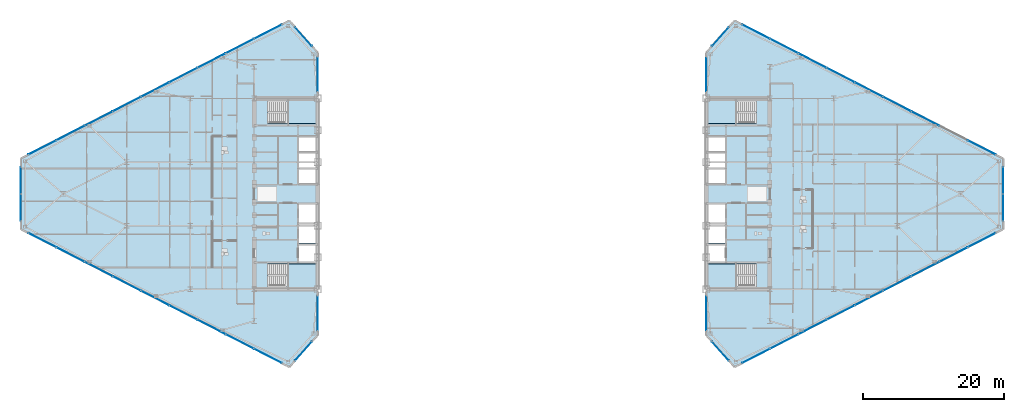
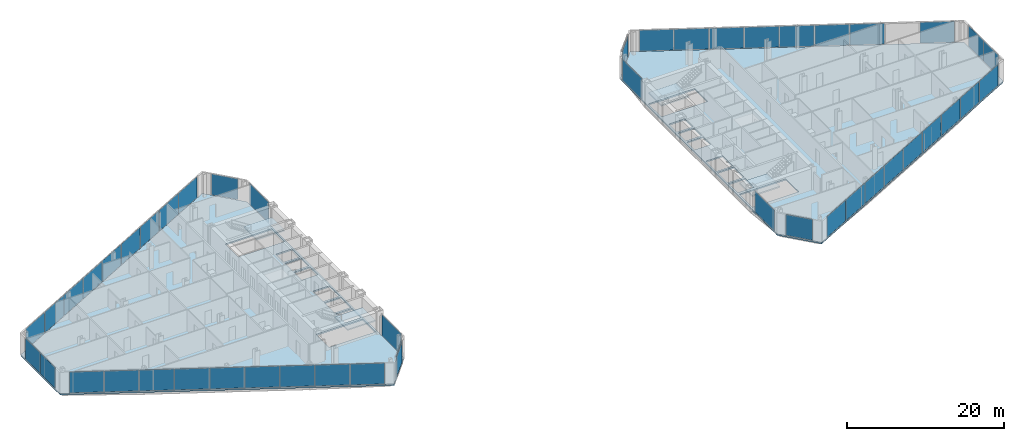
# One storey, part 14 of 24: 47 plates, 6 slabs, 18 elements without a shape of their own.
"""IFC4 building model written with IfcOpenShell, lengths in metres."""

from ifc_helpers import new_model, si_unit, direction, frame, origin, origin_2d, place, context, subcontext, project, spatial, polyline, rectangle, outline, extrude, source, transform, mapped, material, layer, layer_set, type_object, type_shapes, element, aggregate, save


model = new_model("IFC4")

# Units and contexts
model_context = context("Model", 3, precision=1e-05, world=origin(), true_north=direction((0.0, 1.0)))
body_context = subcontext(model_context, "Body", "Model", "MODEL_VIEW")
ifc_project = project(units=[si_unit("LENGTHUNIT", "METRE"), si_unit("AREAUNIT", "SQUARE_METRE"), si_unit("VOLUMEUNIT", "CUBIC_METRE"), si_unit("PLANEANGLEUNIT", "RADIAN"), si_unit("MASSUNIT", "GRAM", prefix="KILO")], contexts=[model_context])

# Site, building, storey
site_placement = place(None, origin())
site = spatial("IfcSite", under=ifc_project, at=site_placement, CompositionType="ELEMENT")
building_placement = place(site_placement, origin())
building = spatial("IfcBuilding", under=site, at=building_placement, Name="Seokmaru Belvedere", CompositionType="ELEMENT")
storey_placement = place(building_placement, frame((0.0, 0.0, 121.199951171875)))
storey = spatial("IfcBuildingStorey", under=building, at=storey_placement, Name="L32", CompositionType="ELEMENT", Elevation=121.199951171875)

# Stair, slab
ifc_material_1 = material(Name="Concrete C40 (40 MPa)", Category="concrete")
stair_type = type_object("IfcStairType", Name="Typical Tower Core Dog-Leg Stair 3600", PredefinedType="TWO_STRAIGHT_RUN_STAIR", material=ifc_material_1)
stair_1_placement = place(storey_placement, origin())
stair_1 = element("IfcStair", 1, at=stair_1_placement, inside=storey, type_object=stair_type, Name="L32 Special Escape Stair ST-W1", PredefinedType="TWO_STRAIGHT_RUN_STAIR")
ifc_layer_1 = layer(ifc_material_1, 0.199951171875)
ifc_layer_set_1 = layer_set([ifc_layer_1], Name="Concrete C40 (40 MPa)")
slab_type_1 = type_object("IfcSlabType", Name="Reinforced Concrete Stair Landing Slab 200", PredefinedType="LANDING", material=ifc_layer_set_1)
slab_1_placement = place(storey_placement, frame((0.0, 0.0, 1.60009765625)))
slab_1 = element("IfcSlab", 2, at=slab_1_placement, type_object=slab_type_1, Name="ST-W1 landing 1", PredefinedType="LANDING", context=body_context, shape_type="SweptSolid", body=[
    extrude(outline(polyline([(-31.8798828125, -13.239990234375), (-27.760009765625, -13.239990234375), (-27.760009765625, -9.949951171875), (-31.8798828125, -9.949951171875), (-31.8798828125, -13.239990234375)])), origin(), (0.0, 0.0, 1.0), 0.199951171875),
])
aggregate(stair_1, [slab_1])

stair_2_placement = place(storey_placement, origin())
stair_2 = element("IfcStair", 3, at=stair_2_placement, inside=storey, type_object=stair_type, Name="L32 Special Escape Stair ST-W2", PredefinedType="TWO_STRAIGHT_RUN_STAIR")
slab_2_placement = place(storey_placement, frame((0.0, 0.0, 1.60009765625)))
slab_2 = element("IfcSlab", 4, at=slab_2_placement, type_object=slab_type_1, Name="ST-W2 landing 1", PredefinedType="LANDING", context=body_context, shape_type="SweptSolid", body=[
    extrude(outline(polyline([(-31.8798828125, 9.949951171875), (-27.760009765625, 9.949951171875), (-27.760009765625, 13.239990234375), (-31.8798828125, 13.239990234375), (-31.8798828125, 9.949951171875)])), origin(), (0.0, 0.0, 1.0), 0.199951171875),
])
aggregate(stair_2, [slab_2])

stair_3_placement = place(storey_placement, origin())
stair_3 = element("IfcStair", 5, at=stair_3_placement, inside=storey, type_object=stair_type, Name="L32 Special Escape Stair ST-E1", PredefinedType="TWO_STRAIGHT_RUN_STAIR")
slab_3_placement = place(storey_placement, frame((0.0, 0.0, 1.60009765625)))
slab_3 = element("IfcSlab", 6, at=slab_3_placement, type_object=slab_type_1, Name="ST-E1 landing 1", PredefinedType="LANDING", context=body_context, shape_type="SweptSolid", body=[
    extrude(outline(polyline([(27.760009765625, -13.239990234375), (31.8798828125, -13.239990234375), (31.8798828125, -9.949951171875), (27.760009765625, -9.949951171875), (27.760009765625, -13.239990234375)])), origin(), (0.0, 0.0, 1.0), 0.199951171875),
])
aggregate(stair_3, [slab_3])

stair_4_placement = place(storey_placement, origin())
stair_4 = element("IfcStair", 7, at=stair_4_placement, inside=storey, type_object=stair_type, Name="L32 Special Escape Stair ST-E2", PredefinedType="TWO_STRAIGHT_RUN_STAIR")
slab_4_placement = place(storey_placement, frame((0.0, 0.0, 1.60009765625)))
slab_4 = element("IfcSlab", 8, at=slab_4_placement, type_object=slab_type_1, Name="ST-E2 landing 1", PredefinedType="LANDING", context=body_context, shape_type="SweptSolid", body=[
    extrude(outline(polyline([(27.760009765625, 9.949951171875), (31.8798828125, 9.949951171875), (31.8798828125, 13.239990234375), (27.760009765625, 13.239990234375), (27.760009765625, 9.949951171875)])), origin(), (0.0, 0.0, 1.0), 0.199951171875),
])
aggregate(stair_4, [slab_4])

# Slabs
ifc_layer_2 = layer(ifc_material_1, 0.219970703125)
ifc_layer_set_2 = layer_set([ifc_layer_2], Name="Concrete C40 (40 MPa)")
slab_type_2 = type_object("IfcSlabType", Name="Typical Tower Composite Floor Slab 220", PredefinedType="FLOOR", material=ifc_layer_set_2)
slab_5_placement = place(storey_placement, frame((0.0, 0.0, -0.219970703125)))
element("IfcSlab", 9, at=slab_5_placement, inside=storey, type_object=slab_type_2, Name="L32 West Leg Floor Slab", PredefinedType="FLOOR", context=body_context, shape_type="SweptSolid", body=[
    extrude(outline(polyline([(-27.5, -20.0), (-27.5, 20.0), (-31.5, 24.5), (-69.5, 5.0), (-69.5, -5.0), (-31.5, -24.5), (-27.5, -20.0)]), holes=[polyline([(-34.60009765625, -13.25), (-27.75, -13.25), (-27.75, -9.949951171875), (-34.60009765625, -9.949951171875), (-34.60009765625, -13.25)]), polyline([(-34.60009765625, 9.949951171875), (-27.75, 9.949951171875), (-27.75, 13.25), (-34.60009765625, 13.25), (-34.60009765625, 9.949951171875)]), polyline([(-30.14990234375, -9.550048828125), (-27.75, -9.550048828125), (-27.75, -7.25), (-30.14990234375, -7.25), (-30.14990234375, -9.550048828125)]), polyline([(-30.14990234375, -6.949951171875), (-27.75, -6.949951171875), (-27.75, -4.35009765625), (-30.14990234375, -4.35009765625), (-30.14990234375, -6.949951171875)]), polyline([(-30.14990234375, -4.050048828125), (-27.75, -4.050048828125), (-27.75, -1.449951171875), (-30.14990234375, -1.449951171875), (-30.14990234375, -4.050048828125)]), polyline([(-30.14990234375, 1.449951171875), (-27.75, 1.449951171875), (-27.75, 3.449951171875), (-30.14990234375, 3.449951171875), (-30.14990234375, 1.449951171875)]), polyline([(-30.14990234375, 3.75), (-27.75, 3.75), (-27.75, 5.75), (-30.14990234375, 5.75), (-30.14990234375, 3.75)]), polyline([(-30.14990234375, 6.050048828125), (-27.75, 6.050048828125), (-27.75, 8.050048828125), (-30.14990234375, 8.050048828125), (-30.14990234375, 6.050048828125)])]), origin(), (0.0, 0.0, 1.0), 0.219970703125),
])
slab_6_placement = place(storey_placement, frame((0.0, 0.0, -0.219970703125)))
element("IfcSlab", 10, at=slab_6_placement, inside=storey, type_object=slab_type_2, Name="L32 East Leg Floor Slab", PredefinedType="FLOOR", context=body_context, shape_type="SweptSolid", body=[
    extrude(outline(polyline([(31.5, -24.5), (69.5, -5.0), (69.5, 5.0), (31.5, 24.5), (27.5, 20.0), (27.5, -20.0), (31.5, -24.5)]), holes=[polyline([(27.75, -13.25), (34.60009765625, -13.25), (34.60009765625, -9.949951171875), (27.75, -9.949951171875), (27.75, -13.25)]), polyline([(27.75, 9.949951171875), (34.60009765625, 9.949951171875), (34.60009765625, 13.25), (27.75, 13.25), (27.75, 9.949951171875)]), polyline([(27.75, -9.550048828125), (30.14990234375, -9.550048828125), (30.14990234375, -7.25), (27.75, -7.25), (27.75, -9.550048828125)]), polyline([(27.75, -6.949951171875), (30.14990234375, -6.949951171875), (30.14990234375, -4.35009765625), (27.75, -4.35009765625), (27.75, -6.949951171875)]), polyline([(27.75, -4.050048828125), (30.14990234375, -4.050048828125), (30.14990234375, -1.449951171875), (27.75, -1.449951171875), (27.75, -4.050048828125)]), polyline([(27.75, 1.449951171875), (30.14990234375, 1.449951171875), (30.14990234375, 3.449951171875), (27.75, 3.449951171875), (27.75, 1.449951171875)]), polyline([(27.75, 3.75), (30.14990234375, 3.75), (30.14990234375, 5.75), (27.75, 5.75), (27.75, 3.75)]), polyline([(27.75, 6.050048828125), (30.14990234375, 6.050048828125), (30.14990234375, 8.050048828125), (27.75, 8.050048828125), (27.75, 6.050048828125)])]), origin(), (0.0, 0.0, 1.0), 0.219970703125),
])

# Curtain wall, plate
ifc_material_2 = material(Name="Bronze Triple Insulating Glass", Category="glass")
ifc_layer_3 = layer(ifc_material_2, 0.195068359375)
ifc_layer_set_3 = layer_set([ifc_layer_3], Name="Bronze Triple Insulating Glass")
curtain_wall_type = type_object("IfcCurtainWallType", Name="Sky-Lobby and Mid-Rise Curtain Wall System CW-4", PredefinedType="NOTDEFINED", material=ifc_layer_set_3)
curtain_wall_1_placement = place(storey_placement, origin())
curtain_wall_1 = element("IfcCurtainWall", 11, at=curtain_wall_1_placement, inside=storey, type_object=curtain_wall_type, Name="L32 Curtain Wall WSP_1", PredefinedType="NOTDEFINED")
ifc_layer_4 = layer(ifc_material_2, 0.035888671875)
ifc_layer_set_4 = layer_set([ifc_layer_4], Name="Bronze Triple Insulating Glass")
plate_type = type_object("IfcPlateType", Name="Bronze Triple Vision Glazing Panel 36", PredefinedType="CURTAIN_PANEL", material=ifc_layer_set_4)
shared_shape_1 = source(origin(), body_context, "Body", "SweptSolid", [
    extrude(rectangle(XDim=4.909912109375, YDim=0.035888671875, at=origin_2d()), origin(), (0.0, 0.0, 1.0), 3.25),
])
plate_1_placement = place(storey_placement, frame((-27.5, -16.905029296875, 0.06494140625), z_axis=(0.0, 0.0, 1.0), x_axis=(0.0, 1.0, 0.0)))
plate_1 = element("IfcPlate", 12, at=plate_1_placement, type_object=plate_type, Name="CW:L32:WSP_1 Glazing Panel 1-1", PredefinedType="CURTAIN_PANEL", context=body_context, shape_type="MappedRepresentation", body=[
    mapped(shared_shape_1, transform((0.0, 0.0, 0.0), scale=1.0)),
])
aggregate(curtain_wall_1, [plate_1])

curtain_wall_2_placement = place(storey_placement, origin())
curtain_wall_2 = element("IfcCurtainWall", 13, at=curtain_wall_2_placement, inside=storey, type_object=curtain_wall_type, Name="L32 Curtain Wall WSP_2", PredefinedType="NOTDEFINED")
plate_2_placement = place(storey_placement, frame((-27.5, 16.905029296875, 0.06494140625), z_axis=(0.0, 0.0, 1.0), x_axis=(0.0, 1.0, 0.0)))
plate_2 = element("IfcPlate", 14, at=plate_2_placement, type_object=plate_type, Name="CW:L32:WSP_2 Glazing Panel 1-1", PredefinedType="CURTAIN_PANEL", context=body_context, shape_type="MappedRepresentation", body=[
    mapped(shared_shape_1, transform((0.0, 0.0, 0.0), scale=1.0)),
])
aggregate(curtain_wall_2, [plate_2])

curtain_wall_3_placement = place(storey_placement, origin())
curtain_wall_3 = element("IfcCurtainWall", 15, at=curtain_wall_3_placement, inside=storey, type_object=curtain_wall_type, Name="L32 Curtain Wall ESP_1", PredefinedType="NOTDEFINED")
plate_3_placement = place(storey_placement, frame((27.5, -16.905029296875, 0.06494140625), z_axis=(0.0, 0.0, 1.0), x_axis=(0.0, -1.0, 0.0)))
plate_3 = element("IfcPlate", 16, at=plate_3_placement, type_object=plate_type, Name="CW:L32:ESP_1 Glazing Panel 1-1", PredefinedType="CURTAIN_PANEL", context=body_context, shape_type="MappedRepresentation", body=[
    mapped(shared_shape_1, transform((0.0, 0.0, 0.0), scale=1.0)),
])
aggregate(curtain_wall_3, [plate_3])

curtain_wall_4_placement = place(storey_placement, origin())
curtain_wall_4 = element("IfcCurtainWall", 17, at=curtain_wall_4_placement, inside=storey, type_object=curtain_wall_type, Name="L32 Curtain Wall ESP_2", PredefinedType="NOTDEFINED")
plate_4_placement = place(storey_placement, frame((27.5, 16.905029296875, 0.06494140625), z_axis=(0.0, 0.0, 1.0), x_axis=(0.0, -1.0, 0.0)))
plate_4 = element("IfcPlate", 18, at=plate_4_placement, type_object=plate_type, Name="CW:L32:ESP_2 Glazing Panel 1-1", PredefinedType="CURTAIN_PANEL", context=body_context, shape_type="MappedRepresentation", body=[
    mapped(shared_shape_1, transform((0.0, 0.0, 0.0), scale=1.0)),
])
aggregate(curtain_wall_4, [plate_4])

curtain_wall_5_placement = place(storey_placement, origin())
curtain_wall_5 = element("IfcCurtainWall", 19, at=curtain_wall_5_placement, inside=storey, type_object=curtain_wall_type, Name="L32 Curtain Wall WF2", PredefinedType="NOTDEFINED")
shared_shape_2 = source(origin(), body_context, "Body", "SweptSolid", [
    extrude(rectangle(XDim=3.580810546875, YDim=0.035888671875, at=origin_2d()), origin(), (0.0, 0.0, 1.0), 3.25),
])
plate_5_placement = place(storey_placement, frame((-29.5, 22.25, 0.06494140625), z_axis=(0.0, 0.0, 1.0), x_axis=(-0.664363325694, 0.747409774804, 0.0)))
plate_5 = element("IfcPlate", 20, at=plate_5_placement, type_object=plate_type, Name="CW:L32:WF2 Glazing Panel 1-1", PredefinedType="CURTAIN_PANEL", context=body_context, shape_type="MappedRepresentation", body=[
    mapped(shared_shape_2, transform((0.0, 0.0, 0.0), scale=1.0)),
])
aggregate(curtain_wall_5, [plate_5])

curtain_wall_6_placement = place(storey_placement, origin())
curtain_wall_6 = element("IfcCurtainWall", 21, at=curtain_wall_6_placement, inside=storey, type_object=curtain_wall_type, Name="L32 Curtain Wall WF6", PredefinedType="NOTDEFINED")
plate_6_placement = place(storey_placement, frame((-29.5, -22.25, 0.06494140625), z_axis=(0.0, 0.0, 1.0), x_axis=(0.664363325694, 0.747409774804, 0.0)))
plate_6 = element("IfcPlate", 22, at=plate_6_placement, type_object=plate_type, Name="CW:L32:WF6 Glazing Panel 1-1", PredefinedType="CURTAIN_PANEL", context=body_context, shape_type="MappedRepresentation", body=[
    mapped(shared_shape_2, transform((0.0, 0.0, 0.0), scale=1.0)),
])
aggregate(curtain_wall_6, [plate_6])

curtain_wall_7_placement = place(storey_placement, origin())
curtain_wall_7 = element("IfcCurtainWall", 23, at=curtain_wall_7_placement, inside=storey, type_object=curtain_wall_type, Name="L32 Curtain Wall EF4", PredefinedType="NOTDEFINED")
plate_7_placement = place(storey_placement, frame((29.5, 22.25, 0.06494140625), z_axis=(0.0, 0.0, 1.0), x_axis=(-0.664363325694, -0.747409774804, 0.0)))
plate_7 = element("IfcPlate", 24, at=plate_7_placement, type_object=plate_type, Name="CW:L32:EF4 Glazing Panel 1-1", PredefinedType="CURTAIN_PANEL", context=body_context, shape_type="MappedRepresentation", body=[
    mapped(shared_shape_2, transform((0.0, 0.0, 0.0), scale=1.0)),
])
aggregate(curtain_wall_7, [plate_7])

curtain_wall_8_placement = place(storey_placement, origin())
curtain_wall_8 = element("IfcCurtainWall", 25, at=curtain_wall_8_placement, inside=storey, type_object=curtain_wall_type, Name="L32 Curtain Wall EF6", PredefinedType="NOTDEFINED")
plate_8_placement = place(storey_placement, frame((29.5, -22.25, 0.06494140625), z_axis=(0.0, 0.0, 1.0), x_axis=(0.664363325694, -0.747409774804, 0.0)))
plate_8 = element("IfcPlate", 26, at=plate_8_placement, type_object=plate_type, Name="CW:L32:EF6 Glazing Panel 1-1", PredefinedType="CURTAIN_PANEL", context=body_context, shape_type="MappedRepresentation", body=[
    mapped(shared_shape_2, transform((0.0, 0.0, 0.0), scale=1.0)),
])
aggregate(curtain_wall_8, [plate_8])

# Curtain wall, plates
curtain_wall_9_placement = place(storey_placement, origin())
curtain_wall_9 = element("IfcCurtainWall", 27, at=curtain_wall_9_placement, inside=storey, type_object=curtain_wall_type, Name="L32 Curtain Wall WF3", PredefinedType="NOTDEFINED")
shared_shape_3 = source(origin(), body_context, "Body", "SweptSolid", [
    extrude(rectangle(XDim=4.38525390625, YDim=0.035888671875, at=origin_2d()), origin(), (0.0, 0.0, 1.0), 3.25),
])
plate_9_placement = place(storey_placement, frame((-34.5361328125, 22.94189453125, 0.06494140625), z_axis=(0.0, 0.0, 1.0), x_axis=(-0.889695432562, -0.456554528263, 0.0)))
plate_9 = element("IfcPlate", 28, at=plate_9_placement, type_object=plate_type, Name="CW:L32:WF3 Glazing Panel 1-1", PredefinedType="CURTAIN_PANEL", context=body_context, shape_type="MappedRepresentation", body=[
    mapped(shared_shape_3, transform((0.0, 0.0, 0.0), scale=1.0)),
])
plate_10_placement = place(storey_placement, frame((-66.4638671875, 6.55810546875, 0.06494140625), z_axis=(0.0, 0.0, 1.0), x_axis=(-0.889695432562, -0.456554528263, 0.0)))
plate_10 = element("IfcPlate", 29, at=plate_10_placement, type_object=plate_type, Name="CW:L32:WF3 Glazing Panel 9-1", PredefinedType="CURTAIN_PANEL", context=body_context, shape_type="MappedRepresentation", body=[
    mapped(shared_shape_3, transform((0.0, 0.0, 0.0), scale=1.0)),
])

curtain_wall_10_placement = place(storey_placement, origin())
curtain_wall_10 = element("IfcCurtainWall", 30, at=curtain_wall_10_placement, inside=storey, type_object=curtain_wall_type, Name="L32 Curtain Wall WF5", PredefinedType="NOTDEFINED")
plate_11_placement = place(storey_placement, frame((-66.4638671875, -6.55810546875, 0.06494140625), z_axis=(0.0, 0.0, 1.0), x_axis=(0.889695432562, -0.456554528263, 0.0)))
plate_11 = element("IfcPlate", 31, at=plate_11_placement, type_object=plate_type, Name="CW:L32:WF5 Glazing Panel 1-1", PredefinedType="CURTAIN_PANEL", context=body_context, shape_type="MappedRepresentation", body=[
    mapped(shared_shape_3, transform((0.0, 0.0, 0.0), scale=1.0)),
])
plate_12_placement = place(storey_placement, frame((-34.5361328125, -22.94189453125, 0.06494140625), z_axis=(0.0, 0.0, 1.0), x_axis=(0.889695432562, -0.456554528263, 0.0)))
plate_12 = element("IfcPlate", 32, at=plate_12_placement, type_object=plate_type, Name="CW:L32:WF5 Glazing Panel 9-1", PredefinedType="CURTAIN_PANEL", context=body_context, shape_type="MappedRepresentation", body=[
    mapped(shared_shape_3, transform((0.0, 0.0, 0.0), scale=1.0)),
])

curtain_wall_11_placement = place(storey_placement, origin())
curtain_wall_11 = element("IfcCurtainWall", 33, at=curtain_wall_11_placement, inside=storey, type_object=curtain_wall_type, Name="L32 Curtain Wall EF1", PredefinedType="NOTDEFINED")
plate_13_placement = place(storey_placement, frame((34.5361328125, -22.94189453125, 0.06494140625), z_axis=(0.0, 0.0, 1.0), x_axis=(0.889695432562, 0.456554528263, 0.0)))
plate_13 = element("IfcPlate", 34, at=plate_13_placement, type_object=plate_type, Name="CW:L32:EF1 Glazing Panel 1-1", PredefinedType="CURTAIN_PANEL", context=body_context, shape_type="MappedRepresentation", body=[
    mapped(shared_shape_3, transform((0.0, 0.0, 0.0), scale=1.0)),
])
plate_14_placement = place(storey_placement, frame((66.4638671875, -6.55810546875, 0.06494140625), z_axis=(0.0, 0.0, 1.0), x_axis=(0.889695432562, 0.456554528263, 0.0)))
plate_14 = element("IfcPlate", 35, at=plate_14_placement, type_object=plate_type, Name="CW:L32:EF1 Glazing Panel 9-1", PredefinedType="CURTAIN_PANEL", context=body_context, shape_type="MappedRepresentation", body=[
    mapped(shared_shape_3, transform((0.0, 0.0, 0.0), scale=1.0)),
])

curtain_wall_12_placement = place(storey_placement, origin())
curtain_wall_12 = element("IfcCurtainWall", 36, at=curtain_wall_12_placement, inside=storey, type_object=curtain_wall_type, Name="L32 Curtain Wall EF3", PredefinedType="NOTDEFINED")
plate_15_placement = place(storey_placement, frame((66.4638671875, 6.55810546875, 0.06494140625), z_axis=(0.0, 0.0, 1.0), x_axis=(-0.889695432562, 0.456554528263, 0.0)))
plate_15 = element("IfcPlate", 37, at=plate_15_placement, type_object=plate_type, Name="CW:L32:EF3 Glazing Panel 1-1", PredefinedType="CURTAIN_PANEL", context=body_context, shape_type="MappedRepresentation", body=[
    mapped(shared_shape_3, transform((0.0, 0.0, 0.0), scale=1.0)),
])
plate_16_placement = place(storey_placement, frame((34.5361328125, 22.94189453125, 0.06494140625), z_axis=(0.0, 0.0, 1.0), x_axis=(-0.889695432562, 0.456554528263, 0.0)))
plate_16 = element("IfcPlate", 38, at=plate_16_placement, type_object=plate_type, Name="CW:L32:EF3 Glazing Panel 9-1", PredefinedType="CURTAIN_PANEL", context=body_context, shape_type="MappedRepresentation", body=[
    mapped(shared_shape_3, transform((0.0, 0.0, 0.0), scale=1.0)),
])

# Plate
shared_shape_4 = source(origin(), body_context, "Body", "SweptSolid", [
    extrude(rectangle(XDim=4.420166015625, YDim=0.035888671875, at=origin_2d()), origin(), (0.0, 0.0, 1.0), 3.25),
])
plate_17_placement = place(storey_placement, frame((-38.515380859375, 20.89990234375, 0.06494140625), z_axis=(0.0, 0.0, 1.0), x_axis=(-0.889695432562, -0.456554528263, 0.0)))
plate_17 = element("IfcPlate", 39, at=plate_17_placement, type_object=plate_type, Name="CW:L32:WF3 Glazing Panel 2-1", PredefinedType="CURTAIN_PANEL", context=body_context, shape_type="MappedRepresentation", body=[
    mapped(shared_shape_4, transform((0.0, 0.0, 0.0), scale=1.0)),
])

plate_18_placement = place(storey_placement, frame((-42.51025390625, 18.85009765625, 0.06494140625), z_axis=(0.0, 0.0, 1.0), x_axis=(-0.889695432562, -0.456554528263, 0.0)))
plate_18 = element("IfcPlate", 40, at=plate_18_placement, type_object=plate_type, Name="CW:L32:WF3 Glazing Panel 3-1", PredefinedType="CURTAIN_PANEL", context=body_context, shape_type="MappedRepresentation", body=[
    mapped(shared_shape_4, transform((0.0, 0.0, 0.0), scale=1.0)),
])

plate_19_placement = place(storey_placement, frame((-46.505126953125, 16.800048828125, 0.06494140625), z_axis=(0.0, 0.0, 1.0), x_axis=(-0.889695432562, -0.456554528263, 0.0)))
plate_19 = element("IfcPlate", 41, at=plate_19_placement, type_object=plate_type, Name="CW:L32:WF3 Glazing Panel 4-1", PredefinedType="CURTAIN_PANEL", context=body_context, shape_type="MappedRepresentation", body=[
    mapped(shared_shape_4, transform((0.0, 0.0, 0.0), scale=1.0)),
])

plate_20_placement = place(storey_placement, frame((-50.5, 14.75, 0.06494140625), z_axis=(0.0, 0.0, 1.0), x_axis=(-0.889695432562, -0.456554528263, 0.0)))
plate_20 = element("IfcPlate", 42, at=plate_20_placement, type_object=plate_type, Name="CW:L32:WF3 Glazing Panel 5-1", PredefinedType="CURTAIN_PANEL", context=body_context, shape_type="MappedRepresentation", body=[
    mapped(shared_shape_4, transform((0.0, 0.0, 0.0), scale=1.0)),
])

plate_21_placement = place(storey_placement, frame((-54.494873046875, 12.699951171875, 0.06494140625), z_axis=(0.0, 0.0, 1.0), x_axis=(-0.889695432562, -0.456554528263, 0.0)))
plate_21 = element("IfcPlate", 43, at=plate_21_placement, type_object=plate_type, Name="CW:L32:WF3 Glazing Panel 6-1", PredefinedType="CURTAIN_PANEL", context=body_context, shape_type="MappedRepresentation", body=[
    mapped(shared_shape_4, transform((0.0, 0.0, 0.0), scale=1.0)),
])

plate_22_placement = place(storey_placement, frame((-58.48974609375, 10.64990234375, 0.06494140625), z_axis=(0.0, 0.0, 1.0), x_axis=(-0.889695432562, -0.456554528263, 0.0)))
plate_22 = element("IfcPlate", 44, at=plate_22_placement, type_object=plate_type, Name="CW:L32:WF3 Glazing Panel 7-1", PredefinedType="CURTAIN_PANEL", context=body_context, shape_type="MappedRepresentation", body=[
    mapped(shared_shape_4, transform((0.0, 0.0, 0.0), scale=1.0)),
])

plate_23_placement = place(storey_placement, frame((-62.484619140625, 8.60009765625, 0.06494140625), z_axis=(0.0, 0.0, 1.0), x_axis=(-0.889695432562, -0.456554528263, 0.0)))
plate_23 = element("IfcPlate", 45, at=plate_23_placement, type_object=plate_type, Name="CW:L32:WF3 Glazing Panel 8-1", PredefinedType="CURTAIN_PANEL", context=body_context, shape_type="MappedRepresentation", body=[
    mapped(shared_shape_4, transform((0.0, 0.0, 0.0), scale=1.0)),
])

aggregate(curtain_wall_9, [plate_9, plate_17, plate_18, plate_19, plate_20, plate_21, plate_22, plate_23, plate_10])

plate_24_placement = place(storey_placement, frame((-62.484619140625, -8.60009765625, 0.06494140625), z_axis=(0.0, 0.0, 1.0), x_axis=(0.889695432562, -0.456554528263, 0.0)))
plate_24 = element("IfcPlate", 46, at=plate_24_placement, type_object=plate_type, Name="CW:L32:WF5 Glazing Panel 2-1", PredefinedType="CURTAIN_PANEL", context=body_context, shape_type="MappedRepresentation", body=[
    mapped(shared_shape_4, transform((0.0, 0.0, 0.0), scale=1.0)),
])

plate_25_placement = place(storey_placement, frame((-58.48974609375, -10.64990234375, 0.06494140625), z_axis=(0.0, 0.0, 1.0), x_axis=(0.889695432562, -0.456554528263, 0.0)))
plate_25 = element("IfcPlate", 47, at=plate_25_placement, type_object=plate_type, Name="CW:L32:WF5 Glazing Panel 3-1", PredefinedType="CURTAIN_PANEL", context=body_context, shape_type="MappedRepresentation", body=[
    mapped(shared_shape_4, transform((0.0, 0.0, 0.0), scale=1.0)),
])

plate_26_placement = place(storey_placement, frame((-54.494873046875, -12.699951171875, 0.06494140625), z_axis=(0.0, 0.0, 1.0), x_axis=(0.889695432562, -0.456554528263, 0.0)))
plate_26 = element("IfcPlate", 48, at=plate_26_placement, type_object=plate_type, Name="CW:L32:WF5 Glazing Panel 4-1", PredefinedType="CURTAIN_PANEL", context=body_context, shape_type="MappedRepresentation", body=[
    mapped(shared_shape_4, transform((0.0, 0.0, 0.0), scale=1.0)),
])

plate_27_placement = place(storey_placement, frame((-50.5, -14.75, 0.06494140625), z_axis=(0.0, 0.0, 1.0), x_axis=(0.889695432562, -0.456554528263, 0.0)))
plate_27 = element("IfcPlate", 49, at=plate_27_placement, type_object=plate_type, Name="CW:L32:WF5 Glazing Panel 5-1", PredefinedType="CURTAIN_PANEL", context=body_context, shape_type="MappedRepresentation", body=[
    mapped(shared_shape_4, transform((0.0, 0.0, 0.0), scale=1.0)),
])

plate_28_placement = place(storey_placement, frame((-46.505126953125, -16.800048828125, 0.06494140625), z_axis=(0.0, 0.0, 1.0), x_axis=(0.889695432562, -0.456554528263, 0.0)))
plate_28 = element("IfcPlate", 50, at=plate_28_placement, type_object=plate_type, Name="CW:L32:WF5 Glazing Panel 6-1", PredefinedType="CURTAIN_PANEL", context=body_context, shape_type="MappedRepresentation", body=[
    mapped(shared_shape_4, transform((0.0, 0.0, 0.0), scale=1.0)),
])

plate_29_placement = place(storey_placement, frame((-42.51025390625, -18.85009765625, 0.06494140625), z_axis=(0.0, 0.0, 1.0), x_axis=(0.889695432562, -0.456554528263, 0.0)))
plate_29 = element("IfcPlate", 51, at=plate_29_placement, type_object=plate_type, Name="CW:L32:WF5 Glazing Panel 7-1", PredefinedType="CURTAIN_PANEL", context=body_context, shape_type="MappedRepresentation", body=[
    mapped(shared_shape_4, transform((0.0, 0.0, 0.0), scale=1.0)),
])

plate_30_placement = place(storey_placement, frame((-38.515380859375, -20.89990234375, 0.06494140625), z_axis=(0.0, 0.0, 1.0), x_axis=(0.889695432562, -0.456554528263, 0.0)))
plate_30 = element("IfcPlate", 52, at=plate_30_placement, type_object=plate_type, Name="CW:L32:WF5 Glazing Panel 8-1", PredefinedType="CURTAIN_PANEL", context=body_context, shape_type="MappedRepresentation", body=[
    mapped(shared_shape_4, transform((0.0, 0.0, 0.0), scale=1.0)),
])

aggregate(curtain_wall_10, [plate_11, plate_24, plate_25, plate_26, plate_27, plate_28, plate_29, plate_30, plate_12])

plate_31_placement = place(storey_placement, frame((38.515380859375, -20.89990234375, 0.06494140625), z_axis=(0.0, 0.0, 1.0), x_axis=(0.889695432562, 0.456554528263, 0.0)))
plate_31 = element("IfcPlate", 53, at=plate_31_placement, type_object=plate_type, Name="CW:L32:EF1 Glazing Panel 2-1", PredefinedType="CURTAIN_PANEL", context=body_context, shape_type="MappedRepresentation", body=[
    mapped(shared_shape_4, transform((0.0, 0.0, 0.0), scale=1.0)),
])

plate_32_placement = place(storey_placement, frame((42.51025390625, -18.85009765625, 0.06494140625), z_axis=(0.0, 0.0, 1.0), x_axis=(0.889695432562, 0.456554528263, 0.0)))
plate_32 = element("IfcPlate", 54, at=plate_32_placement, type_object=plate_type, Name="CW:L32:EF1 Glazing Panel 3-1", PredefinedType="CURTAIN_PANEL", context=body_context, shape_type="MappedRepresentation", body=[
    mapped(shared_shape_4, transform((0.0, 0.0, 0.0), scale=1.0)),
])

plate_33_placement = place(storey_placement, frame((46.505126953125, -16.800048828125, 0.06494140625), z_axis=(0.0, 0.0, 1.0), x_axis=(0.889695432562, 0.456554528263, 0.0)))
plate_33 = element("IfcPlate", 55, at=plate_33_placement, type_object=plate_type, Name="CW:L32:EF1 Glazing Panel 4-1", PredefinedType="CURTAIN_PANEL", context=body_context, shape_type="MappedRepresentation", body=[
    mapped(shared_shape_4, transform((0.0, 0.0, 0.0), scale=1.0)),
])

plate_34_placement = place(storey_placement, frame((50.5, -14.75, 0.06494140625), z_axis=(0.0, 0.0, 1.0), x_axis=(0.889695432562, 0.456554528263, 0.0)))
plate_34 = element("IfcPlate", 56, at=plate_34_placement, type_object=plate_type, Name="CW:L32:EF1 Glazing Panel 5-1", PredefinedType="CURTAIN_PANEL", context=body_context, shape_type="MappedRepresentation", body=[
    mapped(shared_shape_4, transform((0.0, 0.0, 0.0), scale=1.0)),
])

plate_35_placement = place(storey_placement, frame((54.494873046875, -12.699951171875, 0.06494140625), z_axis=(0.0, 0.0, 1.0), x_axis=(0.889695432562, 0.456554528263, 0.0)))
plate_35 = element("IfcPlate", 57, at=plate_35_placement, type_object=plate_type, Name="CW:L32:EF1 Glazing Panel 6-1", PredefinedType="CURTAIN_PANEL", context=body_context, shape_type="MappedRepresentation", body=[
    mapped(shared_shape_4, transform((0.0, 0.0, 0.0), scale=1.0)),
])

plate_36_placement = place(storey_placement, frame((58.48974609375, -10.64990234375, 0.06494140625), z_axis=(0.0, 0.0, 1.0), x_axis=(0.889695432562, 0.456554528263, 0.0)))
plate_36 = element("IfcPlate", 58, at=plate_36_placement, type_object=plate_type, Name="CW:L32:EF1 Glazing Panel 7-1", PredefinedType="CURTAIN_PANEL", context=body_context, shape_type="MappedRepresentation", body=[
    mapped(shared_shape_4, transform((0.0, 0.0, 0.0), scale=1.0)),
])

plate_37_placement = place(storey_placement, frame((62.484619140625, -8.60009765625, 0.06494140625), z_axis=(0.0, 0.0, 1.0), x_axis=(0.889695432562, 0.456554528263, 0.0)))
plate_37 = element("IfcPlate", 59, at=plate_37_placement, type_object=plate_type, Name="CW:L32:EF1 Glazing Panel 8-1", PredefinedType="CURTAIN_PANEL", context=body_context, shape_type="MappedRepresentation", body=[
    mapped(shared_shape_4, transform((0.0, 0.0, 0.0), scale=1.0)),
])

aggregate(curtain_wall_11, [plate_13, plate_31, plate_32, plate_33, plate_34, plate_35, plate_36, plate_37, plate_14])

plate_38_placement = place(storey_placement, frame((58.48974609375, 10.64990234375, 0.06494140625), z_axis=(0.0, 0.0, 1.0), x_axis=(-0.889695432562, 0.456554528263, 0.0)))
plate_38 = element("IfcPlate", 60, at=plate_38_placement, type_object=plate_type, Name="CW:L32:EF3 Glazing Panel 3-1", PredefinedType="CURTAIN_PANEL", context=body_context, shape_type="MappedRepresentation", body=[
    mapped(shared_shape_4, transform((0.0, 0.0, 0.0), scale=1.0)),
])

plate_39_placement = place(storey_placement, frame((54.494873046875, 12.699951171875, 0.06494140625), z_axis=(0.0, 0.0, 1.0), x_axis=(-0.889695432562, 0.456554528263, 0.0)))
plate_39 = element("IfcPlate", 61, at=plate_39_placement, type_object=plate_type, Name="CW:L32:EF3 Glazing Panel 4-1", PredefinedType="CURTAIN_PANEL", context=body_context, shape_type="MappedRepresentation", body=[
    mapped(shared_shape_4, transform((0.0, 0.0, 0.0), scale=1.0)),
])

plate_40_placement = place(storey_placement, frame((50.5, 14.75, 0.06494140625), z_axis=(0.0, 0.0, 1.0), x_axis=(-0.889695432562, 0.456554528263, 0.0)))
plate_40 = element("IfcPlate", 62, at=plate_40_placement, type_object=plate_type, Name="CW:L32:EF3 Glazing Panel 5-1", PredefinedType="CURTAIN_PANEL", context=body_context, shape_type="MappedRepresentation", body=[
    mapped(shared_shape_4, transform((0.0, 0.0, 0.0), scale=1.0)),
])

plate_41_placement = place(storey_placement, frame((46.505126953125, 16.800048828125, 0.06494140625), z_axis=(0.0, 0.0, 1.0), x_axis=(-0.889695432562, 0.456554528263, 0.0)))
plate_41 = element("IfcPlate", 63, at=plate_41_placement, type_object=plate_type, Name="CW:L32:EF3 Glazing Panel 6-1", PredefinedType="CURTAIN_PANEL", context=body_context, shape_type="MappedRepresentation", body=[
    mapped(shared_shape_4, transform((0.0, 0.0, 0.0), scale=1.0)),
])

plate_42_placement = place(storey_placement, frame((42.51025390625, 18.85009765625, 0.06494140625), z_axis=(0.0, 0.0, 1.0), x_axis=(-0.889695432562, 0.456554528263, 0.0)))
plate_42 = element("IfcPlate", 64, at=plate_42_placement, type_object=plate_type, Name="CW:L32:EF3 Glazing Panel 7-1", PredefinedType="CURTAIN_PANEL", context=body_context, shape_type="MappedRepresentation", body=[
    mapped(shared_shape_4, transform((0.0, 0.0, 0.0), scale=1.0)),
])

plate_43_placement = place(storey_placement, frame((38.515380859375, 20.89990234375, 0.06494140625), z_axis=(0.0, 0.0, 1.0), x_axis=(-0.889695432562, 0.456554528263, 0.0)))
plate_43 = element("IfcPlate", 65, at=plate_43_placement, type_object=plate_type, Name="CW:L32:EF3 Glazing Panel 8-1", PredefinedType="CURTAIN_PANEL", context=body_context, shape_type="MappedRepresentation", body=[
    mapped(shared_shape_4, transform((0.0, 0.0, 0.0), scale=1.0)),
])

aggregate(curtain_wall_12, [plate_15, plate_38, plate_39, plate_40, plate_41, plate_42, plate_43, plate_16])

# Curtain wall, plates
curtain_wall_13_placement = place(storey_placement, origin())
curtain_wall_13 = element("IfcCurtainWall", 66, at=curtain_wall_13_placement, inside=storey, type_object=curtain_wall_type, Name="L32 Curtain Wall WF4", PredefinedType="NOTDEFINED")
shared_shape_5 = source(origin(), body_context, "Body", "SweptSolid", [
    extrude(rectangle(XDim=3.7451171875, YDim=0.035888671875, at=origin_2d()), origin(), (0.0, 0.0, 1.0), 3.25),
])
type_shapes(plate_type, [shared_shape_1, shared_shape_2, shared_shape_3, shared_shape_4, shared_shape_5])
plate_44_placement = place(storey_placement, frame((-69.5, 1.907470703125, 0.06494140625), z_axis=(0.0, 0.0, 1.0), x_axis=(0.0, -1.0, 0.0)))
plate_44 = element("IfcPlate", 67, at=plate_44_placement, type_object=plate_type, Name="CW:L32:WF4 Glazing Panel 1-1", PredefinedType="CURTAIN_PANEL", context=body_context, shape_type="MappedRepresentation", body=[
    mapped(shared_shape_5, transform((0.0, 0.0, 0.0), scale=1.0)),
])
plate_45_placement = place(storey_placement, frame((-69.5, -1.907470703125, 0.06494140625), z_axis=(0.0, 0.0, 1.0), x_axis=(0.0, -1.0, 0.0)))
plate_45 = element("IfcPlate", 68, at=plate_45_placement, type_object=plate_type, Name="CW:L32:WF4 Glazing Panel 2-1", PredefinedType="CURTAIN_PANEL", context=body_context, shape_type="MappedRepresentation", body=[
    mapped(shared_shape_5, transform((0.0, 0.0, 0.0), scale=1.0)),
])
aggregate(curtain_wall_13, [plate_44, plate_45])

curtain_wall_14_placement = place(storey_placement, origin())
curtain_wall_14 = element("IfcCurtainWall", 69, at=curtain_wall_14_placement, inside=storey, type_object=curtain_wall_type, Name="L32 Curtain Wall EF2", PredefinedType="NOTDEFINED")
plate_46_placement = place(storey_placement, frame((69.5, -1.907470703125, 0.06494140625), z_axis=(0.0, 0.0, 1.0), x_axis=(0.0, 1.0, 0.0)))
plate_46 = element("IfcPlate", 70, at=plate_46_placement, type_object=plate_type, Name="CW:L32:EF2 Glazing Panel 1-1", PredefinedType="CURTAIN_PANEL", context=body_context, shape_type="MappedRepresentation", body=[
    mapped(shared_shape_5, transform((0.0, 0.0, 0.0), scale=1.0)),
])
plate_47_placement = place(storey_placement, frame((69.5, 1.907470703125, 0.06494140625), z_axis=(0.0, 0.0, 1.0), x_axis=(0.0, 1.0, 0.0)))
plate_47 = element("IfcPlate", 71, at=plate_47_placement, type_object=plate_type, Name="CW:L32:EF2 Glazing Panel 2-1", PredefinedType="CURTAIN_PANEL", context=body_context, shape_type="MappedRepresentation", body=[
    mapped(shared_shape_5, transform((0.0, 0.0, 0.0), scale=1.0)),
])
aggregate(curtain_wall_14, [plate_46, plate_47])

save(model, "model.ifc")
